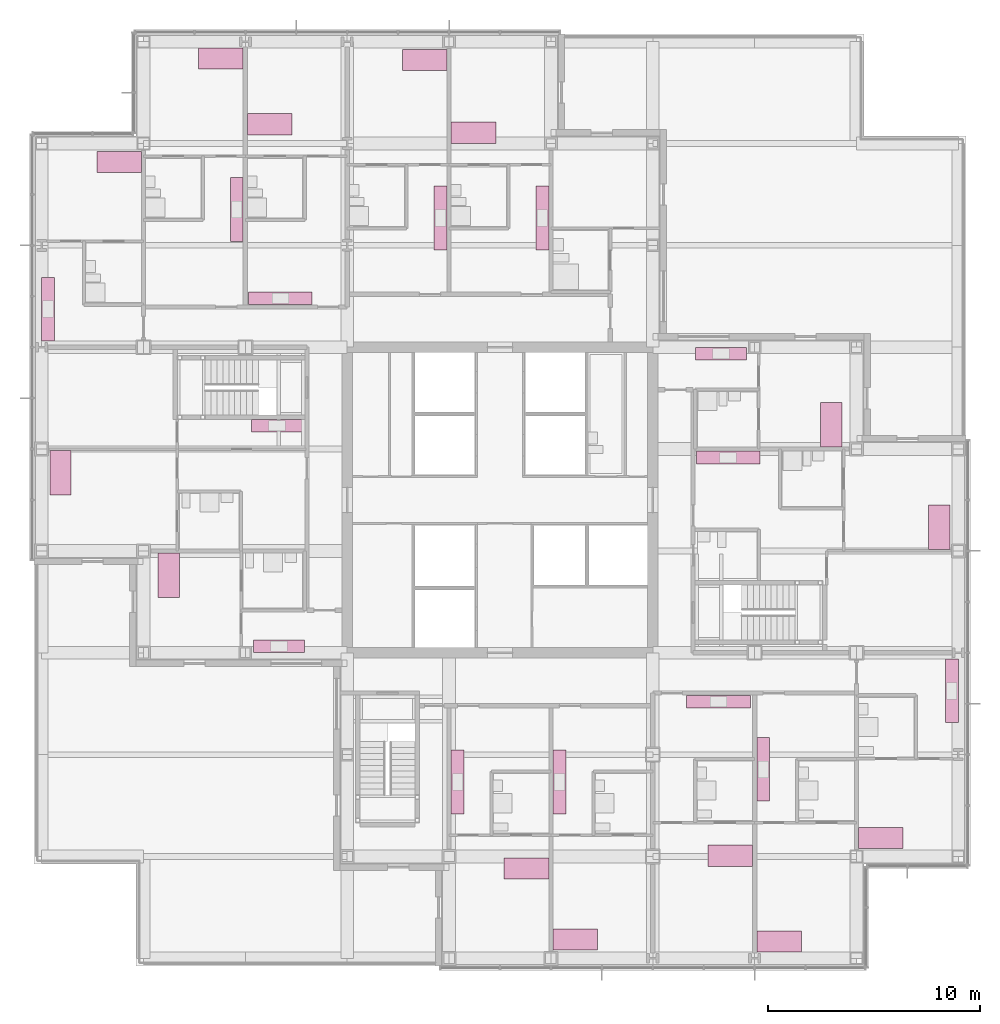
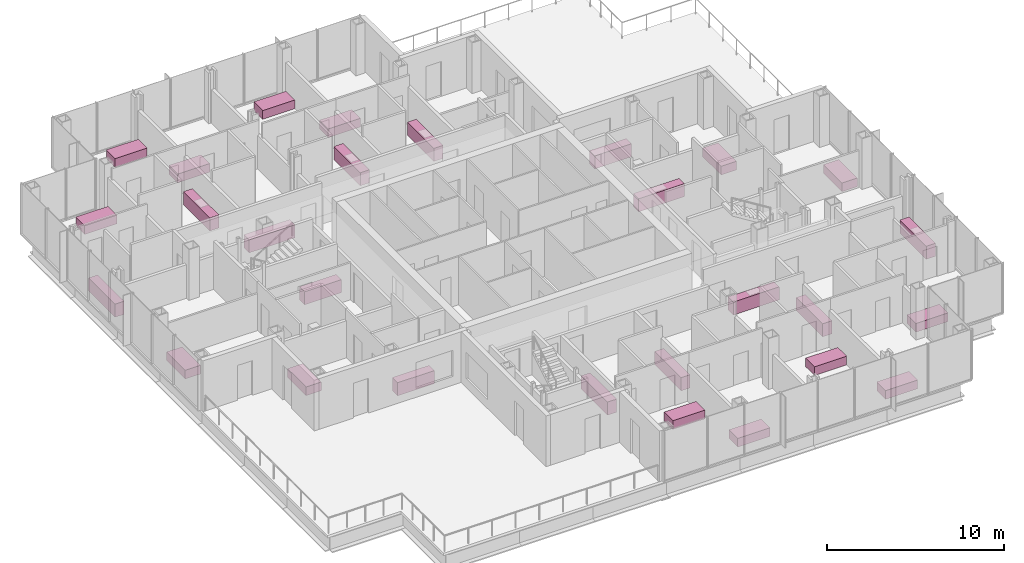
# One storey, part 19 of 19: 28 furniture elements.
"""IFC4 building model written with IfcOpenShell, lengths in metres."""

from ifc_helpers import new_model, si_unit, direction, frame, origin, origin_2d, place, context, subcontext, project, spatial, rectangle, extrude, material, type_object, element, save


model = new_model("IFC4")

# Units and contexts
model_context = context("Model", 3, precision=1e-05, world=origin(), true_north=direction((0.0, 1.0)))
body_context = subcontext(model_context, "Body", "Model", "MODEL_VIEW")
ifc_project = project(units=[si_unit("LENGTHUNIT", "METRE"), si_unit("AREAUNIT", "SQUARE_METRE"), si_unit("VOLUMEUNIT", "CUBIC_METRE"), si_unit("PLANEANGLEUNIT", "RADIAN"), si_unit("MASSUNIT", "GRAM", prefix="KILO")], contexts=[model_context])

# Site, building, storey
site_placement = place(None, origin())
site = spatial("IfcSite", under=ifc_project, at=site_placement, CompositionType="ELEMENT")
building_placement = place(site_placement, origin())
building = spatial("IfcBuilding", under=site, at=building_placement, Name="Kvirike Care Tower", CompositionType="ELEMENT")
storey_placement = place(building_placement, frame((0.0, 0.0, 84.0)))
storey = spatial("IfcBuildingStorey", under=building, at=storey_placement, Name="L22", CompositionType="ELEMENT", Elevation=84.0)

# Furniture
ifc_material_1 = material(Name="Steel frame", Category="steel")
furniture_type_1 = type_object("IfcFurnitureType", Name="CARE BED 1000 x 2100", AssemblyPlace="FACTORY", PredefinedType="BED", material=ifc_material_1)
for number, where, z_axis, x_axis, name in (
    (1, (0.89501953125, 37.2880859375, 0.0), (0.0, 0.0, 1.0), (1.0, 0.0, 0.0), "Care bed L22-004"),
    (2, (5.9951171875, 32.447998046875, 0.0), (0.0, 0.0, 1.0), (1.0, 0.0, 0.0), "Care bed L22-008"),
    (3, (10.751953125, 53.7099609375, 0.0), (0.0, 0.0, 1.0), (0.0, 1.0, 0.0), "Care bed L22-012"),
    (4, (8.447998046875, 56.802978515625, 0.0), (0.0, 0.0, 1.0), (0.0, -1.0, 0.0), "Care bed L22-015"),
    (5, (3.64794921875, 51.929931640625, 0.0), (0.0, 0.0, 1.0), (0.0, -1.0, 0.0), "Care bed L22-018"),
    (6, (22.847900390625, 18.639892578125, 0.0), (0.0, 0.0, 1.0), (0.0, -1.0, 0.0), "Care bed L22-024"),
    (7, (25.152099609375, 15.294921875, 0.0), (0.0, 0.0, 1.0), (0.0, 1.0, 0.0), "Care bed L22-027"),
    (8, (20.35205078125, 53.31005859375, 0.0), (0.0, 0.0, 1.0), (0.0, 1.0, 0.0), "Care bed L22-034"),
    (9, (18.048095703125, 56.72998046875, 0.0), (0.0, 0.0, 1.0), (0.0, -1.0, 0.0), "Care bed L22-037"),
    (10, (32.447998046875, 19.239990234375, 0.0), (0.0, 0.0, 1.0), (0.0, -1.0, 0.0), "Care bed L22-041"),
    (11, (34.751953125, 15.197021484375, 0.0), (0.0, 0.0, 1.0), (0.0, 1.0, 0.0), "Care bed L22-044"),
    (12, (39.552001953125, 20.070068359375, 0.0), (0.0, 0.0, 1.0), (0.0, 1.0, 0.0), "Care bed L22-047"),
    (13, (42.304931640625, 34.7119140625, 0.0), (0.0, 0.0, 1.0), (-1.0, 0.0, 0.0), "Care bed L22-053"),
    (14, (37.205078125, 39.552001953125, 0.0), (0.0, 0.0, 1.0), (-1.0, 0.0, 0.0), "Care bed L22-057"),
):
    element("IfcFurniture", number, at=place(storey_placement, frame(where, z_axis=z_axis, x_axis=x_axis)), inside=storey, type_object=furniture_type_1, Name=name, PredefinedType="BED", context=body_context, shape_type="SweptSolid", body=[
        extrude(rectangle(XDim=1.0, YDim=2.10009765625, at=origin_2d()), origin(), (0.0, 0.0, 1.0), 0.60009765625),
    ])
ifc_material_2 = material(Name="Laminated board", Category="wood")
furniture_type_2 = type_object("IfcFurnitureType", Name="KITCHEN UNIT RUN 600", AssemblyPlace="FACTORY", PredefinedType="USERDEFINED", material=ifc_material_2)
for number, where, z_axis, x_axis, name in (
    (15, (11.10009765625, 39.498046875, 0.0), (0.0, 0.0, 1.0), (1.0, 0.0, 0.0), "Kitchen unit run L22-006"),
    (16, (11.179931640625, 29.10205078125, 0.0), (0.0, 0.0, 1.0), (-1.0, 0.0, 0.0), "Kitchen unit run L22-010"),
):
    element("IfcFurniture", number, at=place(storey_placement, frame(where, z_axis=z_axis, x_axis=x_axis)), inside=storey, type_object=furniture_type_2, Name=name, ObjectType="KITCHEN UNIT", PredefinedType="USERDEFINED", context=body_context, shape_type="SweptSolid", body=[
        extrude(rectangle(XDim=2.39990234375, YDim=0.60009765625, at=origin_2d()), origin(), (0.0, 0.0, 1.0), 0.89990234375),
    ])
for number, where, z_axis, x_axis, name in (
    (17, (11.25, 45.501953125, 0.0), (0.0, 0.0, 1.0), (-1.0, 0.0, 0.0), "Kitchen unit run L22-014"),
    (18, (9.197998046875, 49.68994140625, 0.0), (0.0, 0.0, 1.0), (0.0, -1.0, 0.0), "Kitchen unit run L22-017"),
    (19, (0.302001953125, 44.9970703125, 0.0), (0.0, 0.0, 1.0), (0.0, 1.0, 0.0), "Kitchen unit run L22-020"),
    (20, (19.60205078125, 22.7099609375, 0.0), (0.0, 0.0, 1.0), (0.0, 1.0, 0.0), "Kitchen unit run L22-026"),
    (21, (24.402099609375, 22.7099609375, 0.0), (0.0, 0.0, 1.0), (0.0, 1.0, 0.0), "Kitchen unit run L22-029"),
    (22, (23.597900390625, 49.2900390625, 0.0), (0.0, 0.0, 1.0), (0.0, -1.0, 0.0), "Kitchen unit run L22-036"),
    (23, (18.798095703125, 49.2900390625, 0.0), (0.0, 0.0, 1.0), (0.0, -1.0, 0.0), "Kitchen unit run L22-039"),
    (24, (31.89990234375, 26.498046875, 0.0), (0.0, 0.0, 1.0), (1.0, 0.0, 0.0), "Kitchen unit run L22-043"),
    (25, (34.001953125, 23.31005859375, 0.0), (0.0, 0.0, 1.0), (0.0, 1.0, 0.0), "Kitchen unit run L22-046"),
    (26, (42.89794921875, 27.0029296875, 0.0), (0.0, 0.0, 1.0), (0.0, -1.0, 0.0), "Kitchen unit run L22-049"),
    (27, (32.35009765625, 37.998046875, 0.0), (0.0, 0.0, 1.0), (1.0, 0.0, 0.0), "Kitchen unit run L22-056"),
):
    element("IfcFurniture", number, at=place(storey_placement, frame(where, z_axis=z_axis, x_axis=x_axis)), inside=storey, type_object=furniture_type_2, Name=name, ObjectType="KITCHEN UNIT", PredefinedType="USERDEFINED", context=body_context, shape_type="SweptSolid", body=[
        extrude(rectangle(XDim=3.0, YDim=0.60009765625, at=origin_2d()), origin(), (0.0, 0.0, 1.0), 0.89990234375),
    ])
furniture_placement = place(storey_placement, frame((32.02001953125, 42.89794921875, 0.0), z_axis=(0.0, 0.0, 1.0), x_axis=(1.0, 0.0, 0.0)))
element("IfcFurniture", 28, at=furniture_placement, inside=storey, type_object=furniture_type_2, Name="Kitchen unit run L22-059", ObjectType="KITCHEN UNIT", PredefinedType="USERDEFINED", context=body_context, shape_type="SweptSolid", body=[
    extrude(rectangle(XDim=2.39990234375, YDim=0.60009765625, at=origin_2d()), origin(), (0.0, 0.0, 1.0), 0.89990234375),
])

save(model, "model.ifc")
